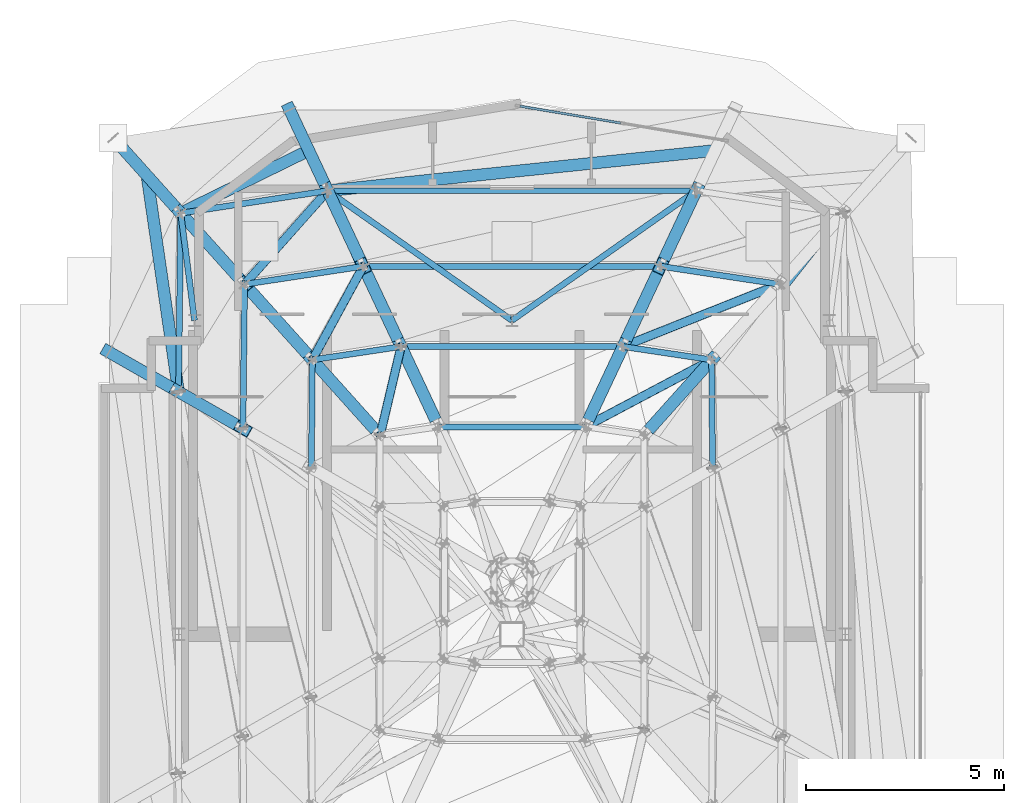
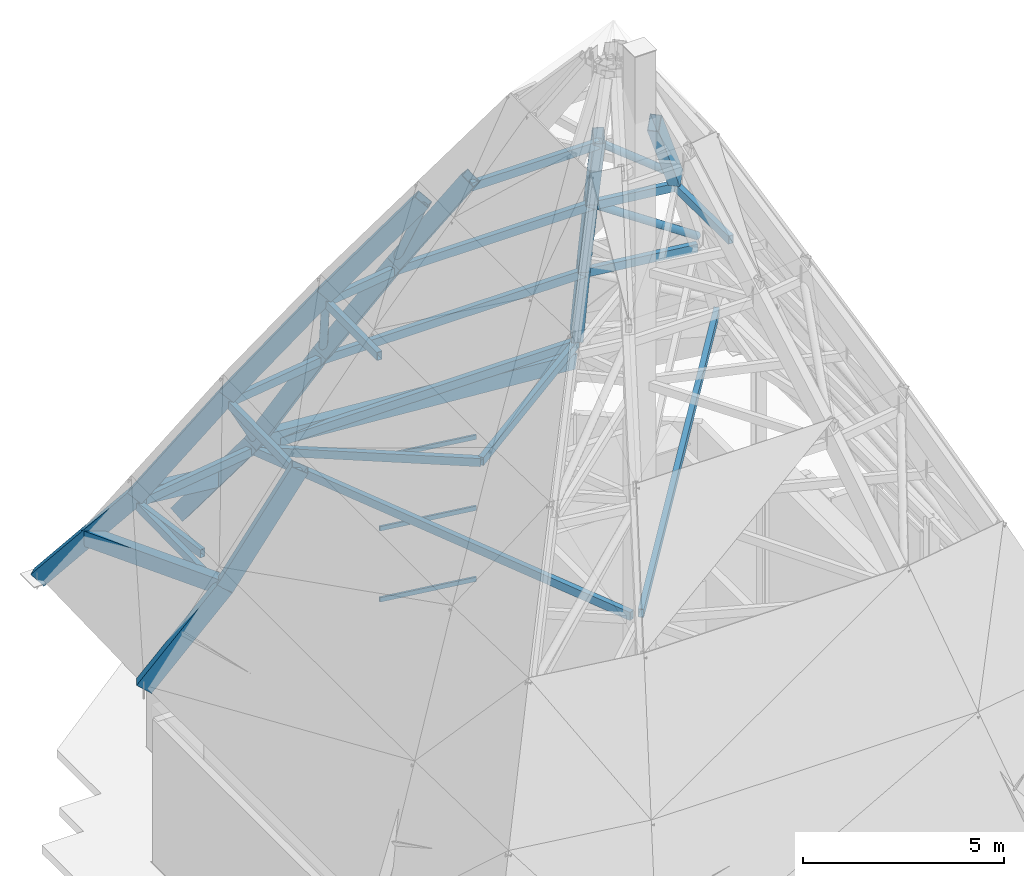
# One storey, part 14 of 30: 43 members, 1 element without a shape of its own.
"""IFC4 building model written with IfcOpenShell, lengths in metres."""

from ifc_helpers import new_model, si_unit, direction, frame, origin, origin_2d, place, context, subcontext, project, spatial, hollow_rectangle, hollow_circle, extrude, material, layer, layer_set, material_profile, profile_set, type_object, element, aggregate, save


model = new_model("IFC4")

# Units and contexts
model_context = context("Model", 3, precision=1e-05, world=origin(), true_north=direction((0.0, 1.0)))
body_context = subcontext(model_context, "Body", "Model", "MODEL_VIEW")
ifc_project = project(units=[si_unit("LENGTHUNIT", "METRE"), si_unit("AREAUNIT", "SQUARE_METRE"), si_unit("VOLUMEUNIT", "CUBIC_METRE"), si_unit("PLANEANGLEUNIT", "RADIAN"), si_unit("MASSUNIT", "GRAM", prefix="KILO")], contexts=[model_context])

# Site, building, storey
site_placement = place(None, origin())
site = spatial("IfcSite", under=ifc_project, at=site_placement, CompositionType="ELEMENT")
building_placement = place(site_placement, origin())
building = spatial("IfcBuilding", under=site, at=building_placement, Name="Haolan Belvedere Tower", CompositionType="ELEMENT")
storey_placement = place(building_placement, frame((0.0, 0.0, 333.0)))
storey = spatial("IfcBuildingStorey", under=building, at=storey_placement, Name="L83", CompositionType="ELEMENT", Elevation=333.0)

# Curtain wall, members
ifc_material_1 = material(Name="Anodised champagne-silver aluminium 6063-T6 and Low-E glass", Category="aluminium")
ifc_layer = layer(ifc_material_1, 0.172119140625, Name="Anodised champagne-silver aluminium 6063-T6 and Low-E glass")
ifc_layer_set = layer_set([ifc_layer], Name="Anodised champagne-silver aluminium 6063-T6 and Low-E glass")
curtain_wall_type = type_object("IfcCurtainWallType", Name="CW-SYS-07", PredefinedType="NOTDEFINED", material=ifc_layer_set)
curtain_wall_placement = place(storey_placement, origin())
curtain_wall = element("IfcCurtainWall", 1, at=curtain_wall_placement, inside=storey, type_object=curtain_wall_type, Name="L83 CW-SYS-07 ribbon curtain wall 10.1", PredefinedType="NOTDEFINED")
ifc_material_2 = material(Name="Anodised aluminium 6063-T6", Category="aluminium")
ifc_material_profile_1 = material_profile(ifc_material_2, hollow_rectangle(XDim=0.05810546875, YDim=0.135009765625, WallThickness=0.00390625, at=origin_2d()), Name="Anodised aluminium 6063-T6")
ifc_profile_set_1 = profile_set([ifc_material_profile_1], Name="Anodised aluminium 6063-T6")
member_type_1 = type_object("IfcMemberType", Name="CW-SYS-07-TRN", PredefinedType="USERDEFINED", material=ifc_profile_set_1)
member_1_placement = place(storey_placement, frame((41.13720703125, 48.177001953125, 0.029052734375), z_axis=(-0.986386228932, 0.164445150047, 0.0), x_axis=(-0.164445150047, -0.986386228932, 0.0)))
member_1 = element("IfcMember", 2, at=member_1_placement, type_object=member_type_1, Name="CW-07 transom 2.1", ObjectType="TRANSOM", PredefinedType="USERDEFINED", context=body_context, shape_type="SweptSolid", body=[
    extrude(hollow_rectangle(XDim=0.05810546875, YDim=0.135009765625, WallThickness=0.00390625, at=origin_2d()), origin(), (0.0, 0.0, 1.0), 2.57275390625),
])
member_2_placement = place(storey_placement, frame((41.13720703125, 48.177001953125, 2.18994140625), z_axis=(-0.986386228932, 0.164445150047, 0.0), x_axis=(-0.164445150047, -0.986386228932, 0.0)))
member_2 = element("IfcMember", 3, at=member_2_placement, type_object=member_type_1, Name="CW-07 transom 2.2", ObjectType="TRANSOM", PredefinedType="USERDEFINED", context=body_context, shape_type="SweptSolid", body=[
    extrude(hollow_rectangle(XDim=0.05810546875, YDim=0.135009765625, WallThickness=0.00390625, at=origin_2d()), origin(), (0.0, 0.0, 1.0), 2.57275390625),
])
member_3_placement = place(storey_placement, frame((41.13720703125, 48.177001953125, 4.35107421875), z_axis=(-0.986386228932, 0.164445150047, 0.0), x_axis=(-0.164445150047, -0.986386228932, 0.0)))
member_3 = element("IfcMember", 4, at=member_3_placement, type_object=member_type_1, Name="CW-07 transom 2.3", ObjectType="TRANSOM", PredefinedType="USERDEFINED", context=body_context, shape_type="SweptSolid", body=[
    extrude(hollow_rectangle(XDim=0.05810546875, YDim=0.135009765625, WallThickness=0.00390625, at=origin_2d()), origin(), (0.0, 0.0, 1.0), 2.57275390625),
])
aggregate(curtain_wall, [member_1, member_2, member_3])

# Members
ifc_material_3 = material(Name="Steel Q355B", Category="steel")
ifc_material_profile_2 = material_profile(ifc_material_3, hollow_rectangle(XDim=0.300048828125, YDim=0.449951171875, WallThickness=0.01611328125, at=origin_2d()), Name="Steel Q355B")
ifc_profile_set_2 = profile_set([ifc_material_profile_2], Name="Steel Q355B")
member_type_2 = type_object("IfcMemberType", Name="MEM-BOX450x300x16", PredefinedType="RAFTER", material=ifc_profile_set_2)
member_4_placement = place(storey_placement, frame((43.522216796875, 47.484619140625, 6.302001953125), z_axis=(-0.982902214002, -0.102187038997, 0.153169993053), x_axis=(0.103407259665, -0.994639099698, 0.0)))
element("IfcMember", 5, at=member_4_placement, inside=storey, type_object=member_type_2, Name="Crown frame Tier-1 diagonal hip rafter 08", PredefinedType="RAFTER", context=body_context, shape_type="SweptSolid", body=[
    extrude(hollow_rectangle(XDim=0.300048828125, YDim=0.449951171875, WallThickness=0.01611328125, at=origin_2d()), origin(), (0.0, 0.0, 1.0), 9.9365234375),
])
member_5_placement = place(storey_placement, frame((33.27783203125, 47.484619140625, 6.302001953125), z_axis=(-0.826867269743, -0.405143062549, 0.390063606476), x_axis=(0.43999606892, -0.897999698962, 0.0)))
element("IfcMember", 6, at=member_5_placement, inside=storey, type_object=member_type_2, Name="Crown frame Tier-1 diagonal hip rafter 09", PredefinedType="RAFTER", context=body_context, shape_type="SweptSolid", body=[
    extrude(hollow_rectangle(XDim=0.300048828125, YDim=0.449951171875, WallThickness=0.01611328125, at=origin_2d()), origin(), (0.0, 0.0, 1.0), 3.90185546875),
])
member_6_placement = place(storey_placement, frame((32.800048828125, 48.5, 4.780029296875), z_axis=(0.252668910293, -0.536969850746, 0.804873779646), x_axis=(0.904833493294, 0.425765603841, 0.0)))
element("IfcMember", 7, at=member_6_placement, inside=storey, type_object=member_type_2, Name="Crown frame sloped hip rafter T1-09", PredefinedType="RAFTER", context=body_context, shape_type="SweptSolid", body=[
    extrude(hollow_rectangle(XDim=0.300048828125, YDim=0.449951171875, WallThickness=0.01611328125, at=origin_2d()), origin(), (0.0, 0.0, 1.0), 3.781982421875),
])
member_7_placement = place(storey_placement, frame((29.20068359375, 46.851806640625, 6.302001953125), z_axis=(0.139134285419, -0.953770654346, 0.266389169319), x_axis=(0.989526649427, 0.144350303339, 0.0)))
element("IfcMember", 8, at=member_7_placement, inside=storey, type_object=member_type_2, Name="Crown frame Tier-1 diagonal hip rafter 10", PredefinedType="RAFTER", context=body_context, shape_type="SweptSolid", body=[
    extrude(hollow_rectangle(XDim=0.300048828125, YDim=0.449951171875, WallThickness=0.01611328125, at=origin_2d()), origin(), (0.0, 0.0, 1.0), 5.71337890625),
])
member_8_placement = place(storey_placement, frame((28.35009765625, 47.800048828125, 4.780029296875), z_axis=(0.428632908106, -0.477714420614, 0.766852503697), x_axis=(0.74430823705, 0.667836243595, 0.0)))
element("IfcMember", 9, at=member_8_placement, inside=storey, type_object=member_type_2, Name="Crown frame sloped hip rafter T1-10", PredefinedType="RAFTER", context=body_context, shape_type="SweptSolid", body=[
    extrude(hollow_rectangle(XDim=0.300048828125, YDim=0.449951171875, WallThickness=0.01611328125, at=origin_2d()), origin(), (0.0, 0.0, 1.0), 3.969482421875),
])
member_9_placement = place(storey_placement, frame((28.25, 42.39990234375, 4.780029296875), z_axis=(0.478519734507, -0.27339204412, 0.834431335641), x_axis=(0.496073547347, 0.868280505149, 0.0)))
element("IfcMember", 10, at=member_9_placement, inside=storey, type_object=member_type_2, Name="Crown frame sloped hip rafter T1-11", PredefinedType="RAFTER", context=body_context, shape_type="SweptSolid", body=[
    extrude(hollow_rectangle(XDim=0.300048828125, YDim=0.449951171875, WallThickness=0.01611328125, at=origin_2d()), origin(), (0.0, 0.0, 1.0), 3.64794921875),
])
for number, where, z_axis, x_axis, name in (
    (11, (43.04443359375, 46.46923828125, 7.823974609375), (-0.214584923465, -0.456007579865, 0.86371893445), (0.904823960736, -0.425785861764, 0.0), "Crown frame sloped hip rafter T2-08"),
    (12, (33.755615234375, 46.46923828125, 7.823974609375), (0.214584923465, -0.456007579865, 0.86371893445), (0.904823960736, 0.425785861764, 0.0), "Crown frame sloped hip rafter T2-09"),
):
    element("IfcMember", number, at=place(storey_placement, frame(where, z_axis=z_axis, x_axis=x_axis)), inside=storey, type_object=member_type_2, Name=name, PredefinedType="RAFTER", context=body_context, shape_type="SweptSolid", body=[
        extrude(hollow_rectangle(XDim=0.300048828125, YDim=0.449951171875, WallThickness=0.01611328125, at=origin_2d()), origin(), (0.0, 0.0, 1.0), 4.175537109375),
    ])
member_10_placement = place(storey_placement, frame((30.051513671875, 45.90380859375, 7.823974609375), z_axis=(0.370806659804, -0.413258561033, 0.831696929643), x_axis=(0.744301734368, 0.66784349081, 0.0)))
element("IfcMember", 13, at=member_10_placement, inside=storey, type_object=member_type_2, Name="Crown frame sloped hip rafter T2-10", PredefinedType="RAFTER", context=body_context, shape_type="SweptSolid", body=[
    extrude(hollow_rectangle(XDim=0.300048828125, YDim=0.449951171875, WallThickness=0.01611328125, at=origin_2d()), origin(), (0.0, 0.0, 1.0), 4.336181640625),
])
member_11_placement = place(storey_placement, frame((29.99560546875, 41.402587890625, 7.823974609375), z_axis=(0.399745836216, -0.228417607255, 0.887709785416), x_axis=(0.496124881772, 0.868251174308, 0.0)))
element("IfcMember", 14, at=member_11_placement, inside=storey, type_object=member_type_2, Name="Crown frame sloped hip rafter T2-11", PredefinedType="RAFTER", context=body_context, shape_type="SweptSolid", body=[
    extrude(hollow_rectangle(XDim=0.300048828125, YDim=0.449951171875, WallThickness=0.01611328125, at=origin_2d()), origin(), (0.0, 0.0, 1.0), 4.062744140625),
])
for number, where, z_axis, x_axis, name in (
    (15, (42.1484375, 44.565185546875, 11.430419921875), (-0.22415990498, -0.476253582734, 0.850255762658), (0.904789003935, -0.425860139434, 0.0), "Crown frame sloped hip rafter T3-08"),
    (16, (34.651611328125, 44.565185546875, 11.430419921875), (0.224105315106, -0.476259718125, 0.850266716174), (0.904831075755, 0.425770741536, 0.0), "Crown frame sloped hip rafter T3-09"),
):
    element("IfcMember", number, at=place(storey_placement, frame(where, z_axis=z_axis, x_axis=x_axis)), inside=storey, type_object=member_type_2, Name=name, PredefinedType="RAFTER", context=body_context, shape_type="SweptSolid", body=[
        extrude(hollow_rectangle(XDim=0.300048828125, YDim=0.449951171875, WallThickness=0.01611328125, at=origin_2d()), origin(), (0.0, 0.0, 1.0), 4.24755859375),
    ])
member_12_placement = place(storey_placement, frame((31.659423828125, 44.11181640625, 11.430419921875), z_axis=(0.386029796319, -0.430215258858, 0.816024403679), x_axis=(0.744294586256, 0.667851457189, 0.0)))
element("IfcMember", 17, at=member_12_placement, inside=storey, type_object=member_type_2, Name="Crown frame sloped hip rafter T3-10", PredefinedType="RAFTER", context=body_context, shape_type="SweptSolid", body=[
    extrude(hollow_rectangle(XDim=0.300048828125, YDim=0.449951171875, WallThickness=0.01611328125, at=origin_2d()), origin(), (0.0, 0.0, 1.0), 4.42578125),
])
member_13_placement = place(storey_placement, frame((43.431884765625, 42.207763671875, 15.0419921875), z_axis=(-0.399889200029, -0.445661027583, 0.800921267163), x_axis=(0.744294586256, -0.667851457189, 0.0)))
element("IfcMember", 18, at=member_13_placement, inside=storey, type_object=member_type_2, Name="Crown frame sloped hip rafter T4-07", PredefinedType="RAFTER", context=body_context, shape_type="SweptSolid", body=[
    extrude(hollow_rectangle(XDim=0.300048828125, YDim=0.449951171875, WallThickness=0.01611328125, at=origin_2d()), origin(), (0.0, 0.0, 1.0), 4.2724609375),
])
member_14_placement = place(storey_placement, frame((41.1962890625, 42.542236328125, 15.0419921875), z_axis=(-0.232881662525, -0.494910863216, 0.837155522427), x_axis=(0.904831075755, -0.425770741536, 0.0)))
element("IfcMember", 19, at=member_14_placement, inside=storey, type_object=member_type_2, Name="Crown frame sloped hip rafter T4-08", PredefinedType="RAFTER", context=body_context, shape_type="SweptSolid", body=[
    extrude(hollow_rectangle(XDim=0.300048828125, YDim=0.449951171875, WallThickness=0.01611328125, at=origin_2d()), origin(), (0.0, 0.0, 1.0), 4.08740234375),
])
member_15_placement = place(storey_placement, frame((35.603515625, 42.542236328125, 15.0419921875), z_axis=(0.232938150597, -0.494903978422, 0.837143876606), x_axis=(0.904789003935, 0.425860139434, 0.0)))
element("IfcMember", 20, at=member_15_placement, inside=storey, type_object=member_type_2, Name="Crown frame sloped hip rafter T4-09", PredefinedType="RAFTER", context=body_context, shape_type="SweptSolid", body=[
    extrude(hollow_rectangle(XDim=0.300048828125, YDim=0.449951171875, WallThickness=0.01611328125, at=origin_2d()), origin(), (0.0, 0.0, 1.0), 4.087646484375),
])
member_16_placement = place(storey_placement, frame((33.367919921875, 42.207763671875, 15.0419921875), z_axis=(0.399889200029, -0.445661027583, 0.800921267163), x_axis=(0.744294586256, 0.667851457189, 0.0)))
element("IfcMember", 21, at=member_16_placement, inside=storey, type_object=member_type_2, Name="Crown frame sloped hip rafter T4-10", PredefinedType="RAFTER", context=body_context, shape_type="SweptSolid", body=[
    extrude(hollow_rectangle(XDim=0.300048828125, YDim=0.449951171875, WallThickness=0.01611328125, at=origin_2d()), origin(), (0.0, 0.0, 1.0), 4.2724609375),
])
ifc_material_profile_3 = material_profile(ifc_material_3, hollow_circle(Radius=0.109619140625, WallThickness=0.010009765625, at=origin_2d()), Name="Steel Q355B")
ifc_profile_set_3 = profile_set([ifc_material_profile_3], Name="Steel Q355B")
member_type_3 = type_object("IfcMemberType", Name="MEM-CHS219x10", PredefinedType="STRUT", material=ifc_profile_set_3)
member_17_placement = place(storey_placement, frame((33.755615234375, 46.46923828125, 7.924072265625), z_axis=(-0.458698233357, -0.515861884614, 0.723520868198), x_axis=(0.74729829059, -0.66448872442, 0.0)))
element("IfcMember", 22, at=member_17_placement, inside=storey, type_object=member_type_3, Name="Crown frame wind brace strut T2-09", PredefinedType="STRUT", context=body_context, shape_type="SweptSolid", body=[
    extrude(hollow_circle(Radius=0.109619140625, WallThickness=0.010009765625, at=origin_2d()), origin(), (0.0, 0.0, 1.0), 4.56982421875),
])
member_18_placement = place(storey_placement, frame((45.140380859375, 44.11181640625, 11.530517578125), z_axis=(-0.732580995864, -0.291535946915, 0.615086885045), x_axis=(0.369753941343, -0.929129712614, 0.0)))
element("IfcMember", 23, at=member_18_placement, inside=storey, type_object=member_type_3, Name="Crown frame wind brace strut T3-07", PredefinedType="STRUT", context=body_context, shape_type="SweptSolid", body=[
    extrude(hollow_circle(Radius=0.109619140625, WallThickness=0.010009765625, at=origin_2d()), origin(), (0.0, 0.0, 1.0), 5.3837890625),
])
member_19_placement = place(storey_placement, frame((34.651611328125, 44.565185546875, 11.530517578125), z_axis=(-0.301137871246, -0.553021545217, 0.776841781206), x_axis=(0.878235987655, -0.478227508605, 0.0)))
element("IfcMember", 24, at=member_19_placement, inside=storey, type_object=member_type_3, Name="Crown frame wind brace strut T3-09", PredefinedType="STRUT", context=body_context, shape_type="SweptSolid", body=[
    extrude(hollow_circle(Radius=0.109619140625, WallThickness=0.010009765625, at=origin_2d()), origin(), (0.0, 0.0, 1.0), 4.2626953125),
])
member_20_placement = place(storey_placement, frame((43.431884765625, 42.207763671875, 15.14208984375), z_axis=(-0.668180145217, -0.353947141875, 0.654413259566), x_axis=(0.46809917227, -0.88367593886, 0.0)))
element("IfcMember", 25, at=member_20_placement, inside=storey, type_object=member_type_3, Name="Crown frame wind brace strut T4-07", PredefinedType="STRUT", context=body_context, shape_type="SweptSolid", body=[
    extrude(hollow_circle(Radius=0.109619140625, WallThickness=0.010009765625, at=origin_2d()), origin(), (0.0, 0.0, 1.0), 4.7705078125),
])
member_21_placement = place(storey_placement, frame((35.603515625, 42.542236328125, 15.14208984375), z_axis=(-0.135939711123, -0.577318763914, 0.805123245083), x_axis=(0.973379564198, -0.229199092497, 0.0)))
element("IfcMember", 26, at=member_21_placement, inside=storey, type_object=member_type_3, Name="Crown frame wind brace strut T4-09", PredefinedType="STRUT", context=body_context, shape_type="SweptSolid", body=[
    extrude(hollow_circle(Radius=0.109619140625, WallThickness=0.010009765625, at=origin_2d()), origin(), (0.0, 0.0, 1.0), 3.87744140625),
])
ifc_material_profile_4 = material_profile(ifc_material_3, hollow_rectangle(XDim=0.14990234375, YDim=0.25, WallThickness=0.010009765625, at=origin_2d()), Name="Steel Q355B")
ifc_profile_set_4 = profile_set([ifc_material_profile_4], Name="Steel Q355B")
member_type_4 = type_object("IfcMemberType", Name="MEM-RHS250x150x10", PredefinedType="PURLIN", material=ifc_profile_set_4)
for number, where, z_axis, x_axis, name in (
    (27, (38.39990234375, 43.199951171875, 7.583984375), (0.817730736441, 0.575600940479, 0.0), (-0.575600940479, 0.817730736441, 0.0), "Crown Tier-1 post-to-ring chord 08"),
    (28, (38.39990234375, 43.199951171875, 7.583984375), (-0.817716494329, 0.575621173083, 0.0), (-0.575621173083, -0.817716494329, 0.0), "Crown Tier-1 post-to-ring chord 09"),
):
    element("IfcMember", number, at=place(storey_placement, frame(where, z_axis=z_axis, x_axis=x_axis)), inside=storey, type_object=member_type_4, Name=name, PredefinedType="STRUT", context=body_context, shape_type="SweptSolid", body=[
        extrude(hollow_rectangle(XDim=0.14990234375, YDim=0.25, WallThickness=0.010009765625, at=origin_2d()), origin(), (0.0, 0.0, 1.0), 5.6796875),
    ])
member_22_placement = place(storey_placement, frame((30.39990234375, 43.199951171875, 7.583984375), z_axis=(-0.127792320941, 0.991800949137, 0.0), x_axis=(-0.991800949137, -0.127792320941, 0.0)))
element("IfcMember", 29, at=member_22_placement, inside=storey, type_object=member_type_4, Name="Crown Tier-1 post-to-ring chord 10", PredefinedType="STRUT", context=body_context, shape_type="SweptSolid", body=[
    extrude(hollow_rectangle(XDim=0.14990234375, YDim=0.25, WallThickness=0.010009765625, at=origin_2d()), origin(), (0.0, 0.0, 1.0), 2.726318359375),
])
member_23_placement = place(storey_placement, frame((38.54833984375, 35.478515625, 7.583984375), z_axis=(0.618236046805, 0.785992487516, 0.0), x_axis=(-0.785992487516, 0.618236046805, 0.0)))
element("IfcMember", 30, at=member_23_placement, inside=storey, type_object=member_type_4, Name="Crown frame radial tie purlin T1-07", PredefinedType="PURLIN", context=body_context, shape_type="SweptSolid", body=[
    extrude(hollow_rectangle(XDim=0.14990234375, YDim=0.25, WallThickness=0.010009765625, at=origin_2d()), origin(), (0.0, 0.0, 1.0), 13.263916015625),
])
member_24_placement = place(storey_placement, frame((38.307861328125, 35.51171875, 7.583984375), z_axis=(-0.383653842027, 0.923476978326, 0.0), x_axis=(-0.923476978326, -0.383653842027, 0.0)))
element("IfcMember", 31, at=member_24_placement, inside=storey, type_object=member_type_4, Name="Crown frame radial tie purlin T1-09", PredefinedType="PURLIN", context=body_context, shape_type="SweptSolid", body=[
    extrude(hollow_rectangle(XDim=0.14990234375, YDim=0.25, WallThickness=0.010009765625, at=origin_2d()), origin(), (0.0, 0.0, 1.0), 11.865478515625),
])
member_25_placement = place(storey_placement, frame((43.04443359375, 46.46923828125, 7.583984375), z_axis=(-1.0, 0.0, 0.0), x_axis=(0.0, -1.0, 0.0)))
element("IfcMember", 32, at=member_25_placement, inside=storey, type_object=member_type_4, Name="Crown frame horizontal ring purlin T1-08", PredefinedType="PURLIN", context=body_context, shape_type="SweptSolid", body=[
    extrude(hollow_rectangle(XDim=0.14990234375, YDim=0.25, WallThickness=0.010009765625, at=origin_2d()), origin(), (0.0, 0.0, 1.0), 9.288818359375),
])
member_26_placement = place(storey_placement, frame((33.755615234375, 46.46923828125, 7.583984375), z_axis=(-0.988548789234, -0.150901594771, 0.0), x_axis=(0.150901594771, -0.988548789234, 0.0)))
element("IfcMember", 33, at=member_26_placement, inside=storey, type_object=member_type_4, Name="Crown frame horizontal ring purlin T1-09", PredefinedType="PURLIN", context=body_context, shape_type="SweptSolid", body=[
    extrude(hollow_rectangle(XDim=0.14990234375, YDim=0.25, WallThickness=0.010009765625, at=origin_2d()), origin(), (0.0, 0.0, 1.0), 3.7470703125),
])
member_27_placement = place(storey_placement, frame((30.051513671875, 45.90380859375, 7.583984375), z_axis=(-0.012419717837, -0.99992287233, 0.0), x_axis=(0.99992287233, -0.012419717837, 0.0)))
element("IfcMember", 34, at=member_27_placement, inside=storey, type_object=member_type_4, Name="Crown frame horizontal ring purlin T1-10", PredefinedType="PURLIN", context=body_context, shape_type="SweptSolid", body=[
    extrude(hollow_rectangle(XDim=0.14990234375, YDim=0.25, WallThickness=0.010009765625, at=origin_2d()), origin(), (0.0, 0.0, 1.0), 4.50146484375),
])
member_28_placement = place(storey_placement, frame((45.140380859375, 44.11181640625, 11.1904296875), z_axis=(-0.988713331454, 0.149819719013, 0.0), x_axis=(-0.149819719013, -0.988713331454, 0.0)))
element("IfcMember", 35, at=member_28_placement, inside=storey, type_object=member_type_4, Name="Crown frame horizontal ring purlin T2-07", PredefinedType="PURLIN", context=body_context, shape_type="SweptSolid", body=[
    extrude(hollow_rectangle(XDim=0.14990234375, YDim=0.25, WallThickness=0.010009765625, at=origin_2d()), origin(), (0.0, 0.0, 1.0), 3.026123046875),
])
member_29_placement = place(storey_placement, frame((42.1484375, 44.565185546875, 11.1904296875), z_axis=(-1.0, 0.0, 0.0), x_axis=(0.0, -1.0, 0.0)))
element("IfcMember", 36, at=member_29_placement, inside=storey, type_object=member_type_4, Name="Crown frame horizontal ring purlin T2-08", PredefinedType="PURLIN", context=body_context, shape_type="SweptSolid", body=[
    extrude(hollow_rectangle(XDim=0.14990234375, YDim=0.25, WallThickness=0.010009765625, at=origin_2d()), origin(), (0.0, 0.0, 1.0), 7.496826171875),
])
member_30_placement = place(storey_placement, frame((34.651611328125, 44.565185546875, 11.1904296875), z_axis=(-0.98871514214, -0.14980776917, 0.0), x_axis=(0.14980776917, -0.98871514214, 0.0)))
element("IfcMember", 37, at=member_30_placement, inside=storey, type_object=member_type_4, Name="Crown frame horizontal ring purlin T2-09", PredefinedType="PURLIN", context=body_context, shape_type="SweptSolid", body=[
    extrude(hollow_rectangle(XDim=0.14990234375, YDim=0.25, WallThickness=0.010009765625, at=origin_2d()), origin(), (0.0, 0.0, 1.0), 3.0263671875),
])
member_31_placement = place(storey_placement, frame((31.659423828125, 44.11181640625, 11.1904296875), z_axis=(-0.010940411113, -0.999940151911, 0.0), x_axis=(0.999940151911, -0.010940411113, 0.0)))
element("IfcMember", 38, at=member_31_placement, inside=storey, type_object=member_type_4, Name="Crown frame horizontal ring purlin T2-10", PredefinedType="PURLIN", context=body_context, shape_type="SweptSolid", body=[
    extrude(hollow_rectangle(XDim=0.14990234375, YDim=0.25, WallThickness=0.010009765625, at=origin_2d()), origin(), (0.0, 0.0, 1.0), 3.637451171875),
])
member_32_placement = place(storey_placement, frame((43.454833984375, 39.488525390625, 14.802001953125), z_axis=(-0.008439275681, 0.999964388679, 0.0), x_axis=(-0.999964388679, -0.008439275681, 0.0)))
element("IfcMember", 39, at=member_32_placement, inside=storey, type_object=member_type_4, Name="Crown frame horizontal ring purlin T3-06", PredefinedType="PURLIN", context=body_context, shape_type="SweptSolid", body=[
    extrude(hollow_rectangle(XDim=0.14990234375, YDim=0.25, WallThickness=0.010009765625, at=origin_2d()), origin(), (0.0, 0.0, 1.0), 2.71923828125),
])
member_33_placement = place(storey_placement, frame((43.431884765625, 42.207763671875, 14.802001953125), z_axis=(-0.988992528354, 0.147965465092, 0.0), x_axis=(-0.147965465092, -0.988992528354, 0.0)))
element("IfcMember", 40, at=member_33_placement, inside=storey, type_object=member_type_4, Name="Crown frame horizontal ring purlin T3-07", PredefinedType="PURLIN", context=body_context, shape_type="SweptSolid", body=[
    extrude(hollow_rectangle(XDim=0.14990234375, YDim=0.25, WallThickness=0.010009765625, at=origin_2d()), origin(), (0.0, 0.0, 1.0), 2.260498046875),
])
member_34_placement = place(storey_placement, frame((41.1962890625, 42.542236328125, 14.802001953125), z_axis=(-1.0, 0.0, 0.0), x_axis=(0.0, -1.0, 0.0)))
element("IfcMember", 41, at=member_34_placement, inside=storey, type_object=member_type_4, Name="Crown frame horizontal ring purlin T3-08", PredefinedType="PURLIN", context=body_context, shape_type="SweptSolid", body=[
    extrude(hollow_rectangle(XDim=0.14990234375, YDim=0.25, WallThickness=0.010009765625, at=origin_2d()), origin(), (0.0, 0.0, 1.0), 5.5927734375),
])
member_35_placement = place(storey_placement, frame((35.603515625, 42.542236328125, 14.802001953125), z_axis=(-0.988992528354, -0.147965465092, 0.0), x_axis=(0.147965465092, -0.988992528354, 0.0)))
element("IfcMember", 42, at=member_35_placement, inside=storey, type_object=member_type_4, Name="Crown frame horizontal ring purlin T3-09", PredefinedType="PURLIN", context=body_context, shape_type="SweptSolid", body=[
    extrude(hollow_rectangle(XDim=0.14990234375, YDim=0.25, WallThickness=0.010009765625, at=origin_2d()), origin(), (0.0, 0.0, 1.0), 2.260498046875),
])
member_36_placement = place(storey_placement, frame((33.367919921875, 42.207763671875, 14.802001953125), z_axis=(-0.008349502445, -0.999965142297, 0.0), x_axis=(0.999965142297, -0.008349502445, 0.0)))
element("IfcMember", 43, at=member_36_placement, inside=storey, type_object=member_type_4, Name="Crown frame horizontal ring purlin T3-10", PredefinedType="PURLIN", context=body_context, shape_type="SweptSolid", body=[
    extrude(hollow_rectangle(XDim=0.14990234375, YDim=0.25, WallThickness=0.010009765625, at=origin_2d()), origin(), (0.0, 0.0, 1.0), 2.71923828125),
])
member_37_placement = place(storey_placement, frame((40.244384765625, 40.519287109375, 18.223876953125), z_axis=(-1.0, 0.0, 0.0), x_axis=(0.0, -1.0, 0.0)))
element("IfcMember", 44, at=member_37_placement, inside=storey, type_object=member_type_4, Name="Crown frame horizontal ring purlin T4-08", PredefinedType="PURLIN", context=body_context, shape_type="SweptSolid", body=[
    extrude(hollow_rectangle(XDim=0.14990234375, YDim=0.25, WallThickness=0.010009765625, at=origin_2d()), origin(), (0.0, 0.0, 1.0), 3.688720703125),
])

save(model, "model.ifc")
